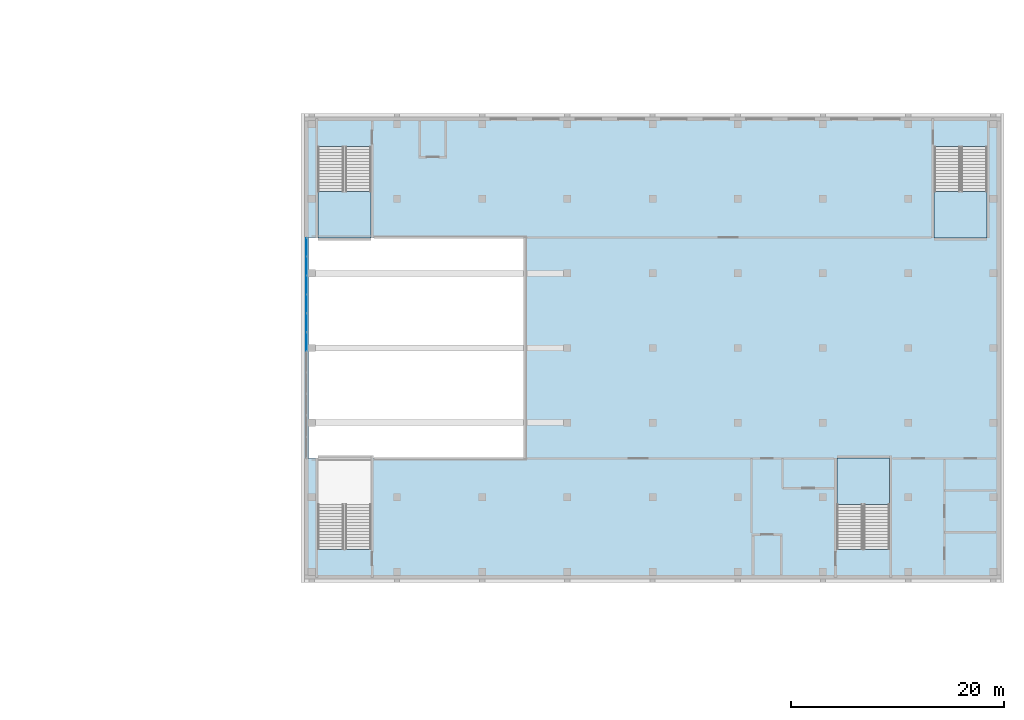
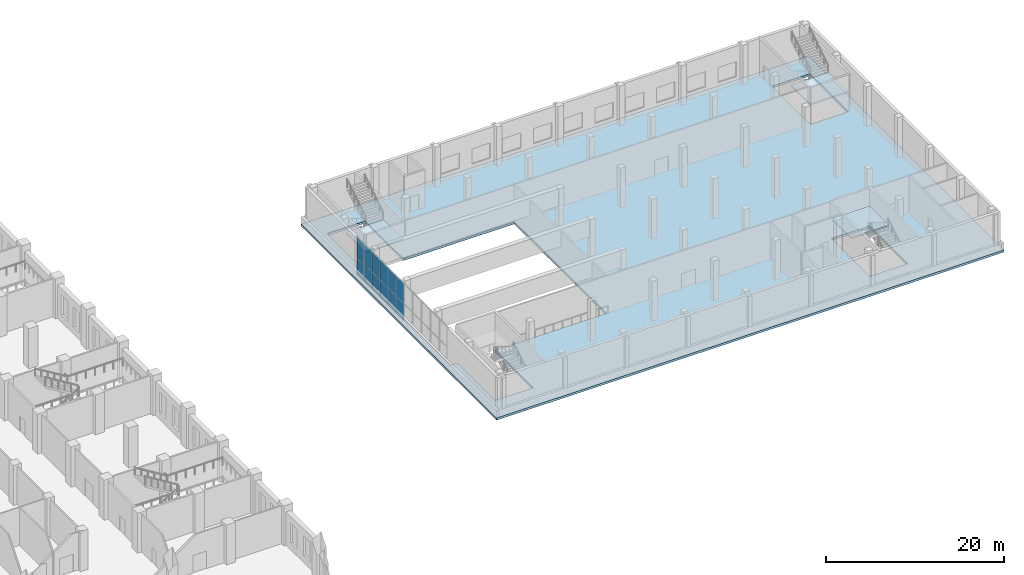
# One storey, part 5 of 35: 12 plates, 4 slabs, 4 elements without a shape of their own.
"""IFC4 building model written with IfcOpenShell, lengths in metres."""

from ifc_helpers import new_model, si_unit, direction, frame, origin, origin_2d, place, context, subcontext, project, spatial, polyline, rectangle, outline, extrude, material, layer, layer_set, type_object, element, aggregate, save


model = new_model("IFC4")

# Units and contexts
model_context = context("Model", 3, precision=1e-05, world=origin(), true_north=direction((0.0, 1.0)))
body_context = subcontext(model_context, "Body", "Model", "MODEL_VIEW")
ifc_project = project(units=[si_unit("LENGTHUNIT", "METRE"), si_unit("AREAUNIT", "SQUARE_METRE"), si_unit("VOLUMEUNIT", "CUBIC_METRE"), si_unit("PLANEANGLEUNIT", "RADIAN"), si_unit("MASSUNIT", "GRAM", prefix="KILO")], contexts=[model_context])

# Site, building, storey
site_placement = place(None, origin())
site = spatial("IfcSite", under=ifc_project, at=site_placement, CompositionType="ELEMENT")
building_placement = place(site_placement, origin())
building = spatial("IfcBuilding", under=site, at=building_placement, Name="Tamorin Gate", CompositionType="ELEMENT")
storey_placement = place(building_placement, frame((0.0, 0.0, 8.0)))
storey = spatial("IfcBuildingStorey", under=building, at=storey_placement, Name="L01", CompositionType="ELEMENT", Elevation=8.0)

# Slab
ifc_material_1 = material(Name="Concrete C40/50", Category="concrete")
ifc_layer_1 = layer(ifc_material_1, 0.300048828125)
ifc_layer_set_1 = layer_set([ifc_layer_1], Name="Museum floor slab 300 C40/50")
slab_type_1 = type_object("IfcSlabType", Name="Museum floor slab 300 C40/50", PredefinedType="FLOOR", material=ifc_layer_set_1)
slab_1_placement = place(storey_placement, frame((0.0, 0.0, -0.300048828125)))
element("IfcSlab", 1, at=slab_1_placement, inside=storey, type_object=slab_type_1, Name="Museum floor slab", PredefinedType="FLOOR", context=body_context, shape_type="SweptSolid", body=[
    extrude(outline(polyline([(144.699951171875, 54.699951171875), (144.699951171875, 98.699951171875), (210.699951171875, 98.699951171875), (210.699951171875, 54.699951171875), (144.699951171875, 54.699951171875)]), holes=[polyline([(146.300537109375, 57.800537109375), (151.24951171875, 57.800537109375), (151.24951171875, 66.330078125), (165.699951171875, 66.330078125), (165.699951171875, 87.070068359375), (151.24951171875, 87.070068359375), (151.24951171875, 95.599365234375), (146.300537109375, 95.599365234375), (146.300537109375, 87.070068359375), (145.39990234375, 87.070068359375), (145.39990234375, 66.330078125), (146.300537109375, 66.330078125), (146.300537109375, 57.800537109375)]), polyline([(195.00048828125, 57.800537109375), (199.949462890625, 57.800537109375), (199.949462890625, 66.359375), (195.00048828125, 66.359375), (195.00048828125, 57.800537109375)]), polyline([(209.099365234375, 87.04052734375), (209.099365234375, 95.599365234375), (204.150634765625, 95.599365234375), (204.150634765625, 87.04052734375), (209.099365234375, 87.04052734375)])]), origin(), (0.0, 0.0, 1.0), 0.300048828125),
])

# Curtain wall, plates
ifc_material_2 = material(Name="Aluminium and glass", Category="aluminium")
curtain_wall_type = type_object("IfcCurtainWallType", Name="Museum atrium curtain wall", PredefinedType="NOTDEFINED", material=ifc_material_2)
curtain_wall_placement = place(storey_placement, origin())
curtain_wall = element("IfcCurtainWall", 2, at=curtain_wall_placement, inside=storey, type_object=curtain_wall_type, Name="Museum atrium glazing", PredefinedType="NOTDEFINED")
ifc_material_3 = material(Name="Laminated glass", Category="glass")
ifc_layer_2 = layer(ifc_material_3, 0.028076171875)
ifc_layer_set_2 = layer_set([ifc_layer_2], Name="Museum glazing panel 28")
plate_type = type_object("IfcPlateType", Name="Museum glazing panel 28", PredefinedType="CURTAIN_PANEL", material=ifc_layer_set_2)
plate_1_placement = place(storey_placement, frame((145.199951171875, 77.30419921875, 0.06005859375), z_axis=(0.0, 0.0, 1.0), x_axis=(0.0, 1.0, 0.0)))
plate_1 = element("IfcPlate", 3, at=plate_1_placement, type_object=plate_type, Name="CWM5 panel 1.1", PredefinedType="CURTAIN_PANEL", context=body_context, shape_type="SweptSolid", body=[
    extrude(rectangle(XDim=1.688232421875, YDim=0.028076171875, at=origin_2d()), origin(), (0.0, 0.0, 1.0), 2.31005859375),
])
plate_2_placement = place(storey_placement, frame((145.199951171875, 77.30419921875, 2.429931640625), z_axis=(0.0, 0.0, 1.0), x_axis=(0.0, 1.0, 0.0)))
plate_2 = element("IfcPlate", 4, at=plate_2_placement, type_object=plate_type, Name="CWM5 panel 1.2", PredefinedType="CURTAIN_PANEL", context=body_context, shape_type="SweptSolid", body=[
    extrude(rectangle(XDim=1.688232421875, YDim=0.028076171875, at=origin_2d()), origin(), (0.0, 0.0, 1.0), 2.7099609375),
])
plate_3_placement = place(storey_placement, frame((145.199951171875, 79.0673828125, 0.06005859375), z_axis=(0.0, 0.0, 1.0), x_axis=(0.0, 1.0, 0.0)))
plate_3 = element("IfcPlate", 5, at=plate_3_placement, type_object=plate_type, Name="CWM5 panel 2.1", PredefinedType="CURTAIN_PANEL", context=body_context, shape_type="SweptSolid", body=[
    extrude(rectangle(XDim=1.71826171875, YDim=0.028076171875, at=origin_2d()), origin(), (0.0, 0.0, 1.0), 2.31005859375),
])
plate_4_placement = place(storey_placement, frame((145.199951171875, 79.0673828125, 2.429931640625), z_axis=(0.0, 0.0, 1.0), x_axis=(0.0, 1.0, 0.0)))
plate_4 = element("IfcPlate", 6, at=plate_4_placement, type_object=plate_type, Name="CWM5 panel 2.2", PredefinedType="CURTAIN_PANEL", context=body_context, shape_type="SweptSolid", body=[
    extrude(rectangle(XDim=1.71826171875, YDim=0.028076171875, at=origin_2d()), origin(), (0.0, 0.0, 1.0), 2.7099609375),
])
plate_5_placement = place(storey_placement, frame((145.199951171875, 80.845947265625, 0.06005859375), z_axis=(0.0, 0.0, 1.0), x_axis=(0.0, 1.0, 0.0)))
plate_5 = element("IfcPlate", 7, at=plate_5_placement, type_object=plate_type, Name="CWM5 panel 3.1", PredefinedType="CURTAIN_PANEL", context=body_context, shape_type="SweptSolid", body=[
    extrude(rectangle(XDim=1.71826171875, YDim=0.028076171875, at=origin_2d()), origin(), (0.0, 0.0, 1.0), 2.31005859375),
])
plate_6_placement = place(storey_placement, frame((145.199951171875, 80.845947265625, 2.429931640625), z_axis=(0.0, 0.0, 1.0), x_axis=(0.0, 1.0, 0.0)))
plate_6 = element("IfcPlate", 8, at=plate_6_placement, type_object=plate_type, Name="CWM5 panel 3.2", PredefinedType="CURTAIN_PANEL", context=body_context, shape_type="SweptSolid", body=[
    extrude(rectangle(XDim=1.71826171875, YDim=0.028076171875, at=origin_2d()), origin(), (0.0, 0.0, 1.0), 2.7099609375),
])
plate_7_placement = place(storey_placement, frame((145.199951171875, 82.624267578125, 0.06005859375), z_axis=(0.0, 0.0, 1.0), x_axis=(0.0, 1.0, 0.0)))
plate_7 = element("IfcPlate", 9, at=plate_7_placement, type_object=plate_type, Name="CWM5 panel 4.1", PredefinedType="CURTAIN_PANEL", context=body_context, shape_type="SweptSolid", body=[
    extrude(rectangle(XDim=1.71826171875, YDim=0.028076171875, at=origin_2d()), origin(), (0.0, 0.0, 1.0), 2.31005859375),
])
plate_8_placement = place(storey_placement, frame((145.199951171875, 82.624267578125, 2.429931640625), z_axis=(0.0, 0.0, 1.0), x_axis=(0.0, 1.0, 0.0)))
plate_8 = element("IfcPlate", 10, at=plate_8_placement, type_object=plate_type, Name="CWM5 panel 4.2", PredefinedType="CURTAIN_PANEL", context=body_context, shape_type="SweptSolid", body=[
    extrude(rectangle(XDim=1.71826171875, YDim=0.028076171875, at=origin_2d()), origin(), (0.0, 0.0, 1.0), 2.7099609375),
])
plate_9_placement = place(storey_placement, frame((145.199951171875, 84.402587890625, 0.06005859375), z_axis=(0.0, 0.0, 1.0), x_axis=(0.0, 1.0, 0.0)))
plate_9 = element("IfcPlate", 11, at=plate_9_placement, type_object=plate_type, Name="CWM5 panel 5.1", PredefinedType="CURTAIN_PANEL", context=body_context, shape_type="SweptSolid", body=[
    extrude(rectangle(XDim=1.71826171875, YDim=0.028076171875, at=origin_2d()), origin(), (0.0, 0.0, 1.0), 2.31005859375),
])
plate_10_placement = place(storey_placement, frame((145.199951171875, 84.402587890625, 2.429931640625), z_axis=(0.0, 0.0, 1.0), x_axis=(0.0, 1.0, 0.0)))
plate_10 = element("IfcPlate", 12, at=plate_10_placement, type_object=plate_type, Name="CWM5 panel 5.2", PredefinedType="CURTAIN_PANEL", context=body_context, shape_type="SweptSolid", body=[
    extrude(rectangle(XDim=1.71826171875, YDim=0.028076171875, at=origin_2d()), origin(), (0.0, 0.0, 1.0), 2.7099609375),
])
plate_11_placement = place(storey_placement, frame((145.199951171875, 86.165771484375, 0.06005859375), z_axis=(0.0, 0.0, 1.0), x_axis=(0.0, 1.0, 0.0)))
plate_11 = element("IfcPlate", 13, at=plate_11_placement, type_object=plate_type, Name="CWM5 panel 6.1", PredefinedType="CURTAIN_PANEL", context=body_context, shape_type="SweptSolid", body=[
    extrude(rectangle(XDim=1.688232421875, YDim=0.028076171875, at=origin_2d()), origin(), (0.0, 0.0, 1.0), 2.31005859375),
])
plate_12_placement = place(storey_placement, frame((145.199951171875, 86.165771484375, 2.429931640625), z_axis=(0.0, 0.0, 1.0), x_axis=(0.0, 1.0, 0.0)))
plate_12 = element("IfcPlate", 14, at=plate_12_placement, type_object=plate_type, Name="CWM5 panel 6.2", PredefinedType="CURTAIN_PANEL", context=body_context, shape_type="SweptSolid", body=[
    extrude(rectangle(XDim=1.688232421875, YDim=0.028076171875, at=origin_2d()), origin(), (0.0, 0.0, 1.0), 2.7099609375),
])
aggregate(curtain_wall, [plate_1, plate_2, plate_3, plate_4, plate_5, plate_6, plate_7, plate_8, plate_9, plate_10, plate_11, plate_12])

# Stair, slab
stair_type = type_object("IfcStairType", Name="Museum exit stair 2400 C40/50", PredefinedType="HALF_TURN_STAIR", material=ifc_material_1)
stair_1_placement = place(storey_placement, origin())
stair_1 = element("IfcStair", 15, at=stair_1_placement, inside=storey, type_object=stair_type, Name="L01 PS6", PredefinedType="HALF_TURN_STAIR")
ifc_layer_3 = layer(ifc_material_1, 0.199951171875)
ifc_layer_set_3 = layer_set([ifc_layer_3], Name="Museum stair landing slab 200 C40/50")
slab_type_2 = type_object("IfcSlabType", Name="Museum stair landing slab 200 C40/50", PredefinedType="LANDING", material=ifc_layer_set_3)
slab_2_placement = place(storey_placement, frame((0.0, 0.0, 2.550048828125)))
slab_2 = element("IfcSlab", 16, at=slab_2_placement, type_object=slab_type_2, Name="PS6 landing 1", PredefinedType="LANDING", context=body_context, shape_type="SweptSolid", body=[
    extrude(outline(polyline([(146.300048828125, 91.39990234375), (146.300048828125, 87.0400390625), (151.25, 87.0400390625), (151.25, 91.39990234375), (146.300048828125, 91.39990234375)])), origin(), (0.0, 0.0, 1.0), 0.199951171875),
])
aggregate(stair_1, [slab_2])

stair_2_placement = place(storey_placement, origin())
stair_2 = element("IfcStair", 17, at=stair_2_placement, inside=storey, type_object=stair_type, Name="L01 PS7", PredefinedType="HALF_TURN_STAIR")
slab_3_placement = place(storey_placement, frame((0.0, 0.0, 2.550048828125)))
slab_3 = element("IfcSlab", 18, at=slab_3_placement, type_object=slab_type_2, Name="PS7 landing 1", PredefinedType="LANDING", context=body_context, shape_type="SweptSolid", body=[
    extrude(outline(polyline([(199.949951171875, 62.0), (199.949951171875, 66.360107421875), (195.0, 66.360107421875), (195.0, 62.0), (199.949951171875, 62.0)])), origin(), (0.0, 0.0, 1.0), 0.199951171875),
])
aggregate(stair_2, [slab_3])

stair_3_placement = place(storey_placement, origin())
stair_3 = element("IfcStair", 19, at=stair_3_placement, inside=storey, type_object=stair_type, Name="L01 PS9", PredefinedType="HALF_TURN_STAIR")
slab_4_placement = place(storey_placement, frame((0.0, 0.0, 2.550048828125)))
slab_4 = element("IfcSlab", 20, at=slab_4_placement, type_object=slab_type_2, Name="PS9 landing 1", PredefinedType="LANDING", context=body_context, shape_type="SweptSolid", body=[
    extrude(outline(polyline([(204.14990234375, 91.39990234375), (204.14990234375, 87.0400390625), (209.10009765625, 87.0400390625), (209.10009765625, 91.39990234375), (204.14990234375, 91.39990234375)])), origin(), (0.0, 0.0, 1.0), 0.199951171875),
])
aggregate(stair_3, [slab_4])

save(model, "model.ifc")
